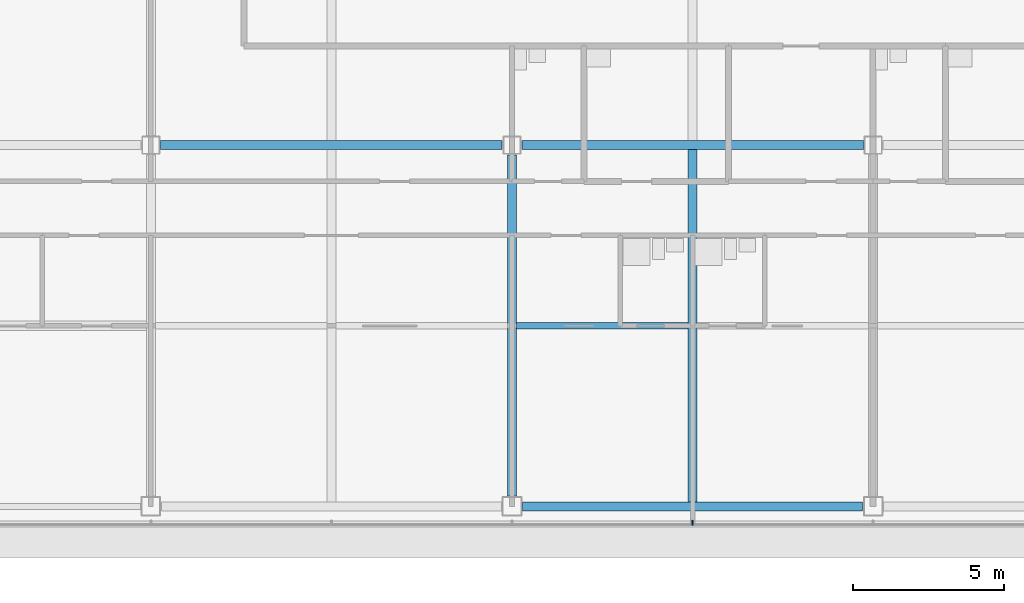
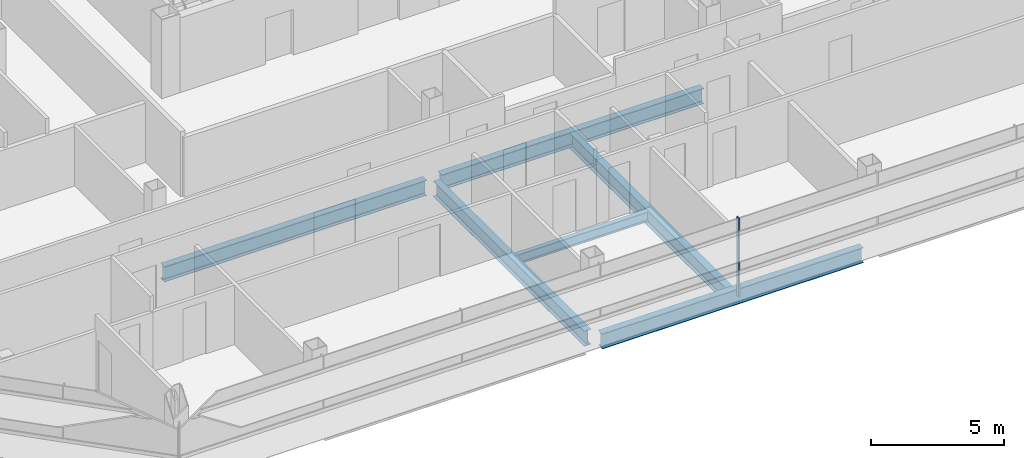
# One storey, part 3 of 29: 6 beams, 1 member, 1 element without a shape of its own.
"""IFC4 building model written with IfcOpenShell, lengths in metres."""

from ifc_helpers import new_model, si_unit, direction, frame, origin, origin_2d, place, context, subcontext, project, spatial, rectangle, i_section, extrude, material, material_profile, profile_set, type_object, element, aggregate, save


model = new_model("IFC4")

# Units and contexts
model_context = context("Model", 3, precision=1e-05, world=origin(), true_north=direction((0.0, 1.0)))
body_context = subcontext(model_context, "Body", "Model", "MODEL_VIEW")
ifc_project = project(units=[si_unit("LENGTHUNIT", "METRE"), si_unit("AREAUNIT", "SQUARE_METRE"), si_unit("VOLUMEUNIT", "CUBIC_METRE"), si_unit("PLANEANGLEUNIT", "RADIAN"), si_unit("MASSUNIT", "GRAM", prefix="KILO")], contexts=[model_context])

# Site, building, storey
site_placement = place(None, origin())
site = spatial("IfcSite", under=ifc_project, at=site_placement, CompositionType="ELEMENT")
building_placement = place(site_placement, origin())
building = spatial("IfcBuilding", under=site, at=building_placement, Name="Sorahane Residences", CompositionType="ELEMENT")
storey_placement = place(building_placement, frame((0.0, 0.0, 199.199951171875)))
storey = spatial("IfcBuildingStorey", under=building, at=storey_placement, Name="L46", CompositionType="ELEMENT", Elevation=199.199951171875)

# Curtain wall, member
ifc_material_1 = material(Name="Dark low-e glass and black anodised aluminium", Category="aluminium")
curtain_wall_type = type_object("IfcCurtainWallType", Name="Curtain wall CW-1 Typical unitised wall", PredefinedType="NOTDEFINED", material=ifc_material_1)
curtain_wall_placement = place(storey_placement, origin())
curtain_wall = element("IfcCurtainWall", 1, at=curtain_wall_placement, inside=storey, type_object=curtain_wall_type, Name="CW-1 curtain wall L46 S1", PredefinedType="NOTDEFINED")
ifc_material_2 = material(Name="Black anodised aluminium", Category="aluminium")
ifc_material_profile_1 = material_profile(ifc_material_2, rectangle(XDim=0.159912109375, YDim=0.050048828125, at=origin_2d()), Name="Curtain wall mullion CW-1 black anodised aluminium 50x160")
ifc_profile_set_1 = profile_set([ifc_material_profile_1], Name="Black anodised aluminium")
member_type = type_object("IfcMemberType", Name="Curtain wall mullion CW-1 black anodised aluminium 50x160", PredefinedType="MULLION", material=ifc_profile_set_1)
member_placement = place(storey_placement, frame((18.0, -0.5400390625, -0.179931640625), z_axis=(0.0, 0.0, 1.0), x_axis=(0.0, -1.0, 0.0)))
member = element("IfcMember", 2, at=member_placement, type_object=member_type, Name="CW-1 mullion L46 S1.5", PredefinedType="MULLION", context=body_context, shape_type="SweptSolid", body=[
    extrude(rectangle(XDim=0.159912109375, YDim=0.050048828125, at=origin_2d()), origin(), (0.0, 0.0, 1.0), 3.60009765625),
])
aggregate(curtain_wall, [member])

# Beams
ifc_material_3 = material(Name="Steel Q355B", Category="steel")
ifc_material_profile_2 = material_profile(ifc_material_3, i_section(OverallWidth=0.199951171875, OverallDepth=0.449951171875, WebThickness=0.009033203125, FlangeThickness=0.013916015625, FilletRadius=0.02001953125, at=origin_2d()), Name="HN 450x200x9x14")
ifc_profile_set_2 = profile_set([ifc_material_profile_2], Name="Steel Q355B")
beam_type_1 = type_object("IfcBeamType", Name="Steel floor beam HN 450x200x9x14 Q355B", PredefinedType="BEAM", material=ifc_profile_set_2)
beam_1_placement = place(storey_placement, frame((12.14990234375, 6.0, -0.405029296875), z_axis=(1.0, 0.0, 0.0), x_axis=(0.0, 1.0, 0.0)))
element("IfcBeam", 3, at=beam_1_placement, inside=storey, type_object=beam_type_1, Name="Beam L46 068", PredefinedType="BEAM", context=body_context, shape_type="SweptSolid", body=[
    extrude(i_section(OverallWidth=0.199951171875, OverallDepth=0.449951171875, WebThickness=0.009033203125, FlangeThickness=0.013916015625, FilletRadius=0.02001953125, at=origin_2d()), origin(), (0.0, 0.0, 1.0), 5.7001953125),
])
ifc_material_4 = material(Name="Steel Q355B", Category="steel")
ifc_material_profile_3 = material_profile(ifc_material_4, i_section(OverallWidth=0.300048828125, OverallDepth=0.699951171875, WebThickness=0.012939453125, FlangeThickness=0.02392578125, FilletRadius=0.028076171875, at=origin_2d()), Name="HN 700x300x13x24")
ifc_profile_set_3 = profile_set([ifc_material_profile_3], Name="Steel Q355B")
beam_type_2 = type_object("IfcBeamType", Name="Steel floor beam HN 700x300x13x24 Q355B", PredefinedType="BEAM", material=ifc_profile_set_3)
beam_2_placement = place(storey_placement, frame((12.35009765625, 0.0, -0.530029296875), z_axis=(1.0, 0.0, 0.0), x_axis=(0.0, 1.0, 0.0)))
element("IfcBeam", 4, at=beam_2_placement, inside=storey, type_object=beam_type_2, Name="Beam L46 002", PredefinedType="BEAM", context=body_context, shape_type="SweptSolid", body=[
    extrude(i_section(OverallWidth=0.300048828125, OverallDepth=0.699951171875, WebThickness=0.012939453125, FlangeThickness=0.02392578125, FilletRadius=0.028076171875, at=origin_2d()), origin(), (0.0, 0.0, 1.0), 11.2998046875),
])
for number, where, z_axis, x_axis, name in (
    (5, (0.324951171875, 12.0, -0.530029296875), (1.0, 0.0, 0.0), (0.0, 1.0, 0.0), "Beam L46 006"),
    (6, (12.324951171875, 12.0, -0.530029296875), (1.0, 0.0, 0.0), (0.0, 1.0, 0.0), "Beam L46 007"),
):
    element("IfcBeam", number, at=place(storey_placement, frame(where, z_axis=z_axis, x_axis=x_axis)), inside=storey, type_object=beam_type_2, Name=name, PredefinedType="BEAM", context=body_context, shape_type="SweptSolid", body=[
        extrude(i_section(OverallWidth=0.300048828125, OverallDepth=0.699951171875, WebThickness=0.012939453125, FlangeThickness=0.02392578125, FilletRadius=0.028076171875, at=origin_2d()), origin(), (0.0, 0.0, 1.0), 11.35009765625),
    ])
beam_3_placement = place(storey_placement, frame((12.0, 0.35009765625, -0.530029296875), z_axis=(0.0, 1.0, 0.0), x_axis=(-1.0, 0.0, 0.0)))
element("IfcBeam", 7, at=beam_3_placement, inside=storey, type_object=beam_type_2, Name="Beam L46 033", PredefinedType="BEAM", context=body_context, shape_type="SweptSolid", body=[
    extrude(i_section(OverallWidth=0.300048828125, OverallDepth=0.699951171875, WebThickness=0.012939453125, FlangeThickness=0.02392578125, FilletRadius=0.028076171875, at=origin_2d()), origin(), (0.0, 0.0, 1.0), 11.324951171875),
])
beam_4_placement = place(storey_placement, frame((18.0, 0.14990234375, -0.530029296875), z_axis=(0.0, 1.0, 0.0), x_axis=(-1.0, 0.0, 0.0)))
element("IfcBeam", 8, at=beam_4_placement, inside=storey, type_object=beam_type_2, Name="Beam L46 035", PredefinedType="BEAM", context=body_context, shape_type="SweptSolid", body=[
    extrude(i_section(OverallWidth=0.300048828125, OverallDepth=0.699951171875, WebThickness=0.012939453125, FlangeThickness=0.02392578125, FilletRadius=0.028076171875, at=origin_2d()), origin(), (0.0, 0.0, 1.0), 11.7001953125),
])

save(model, "model.ifc")
